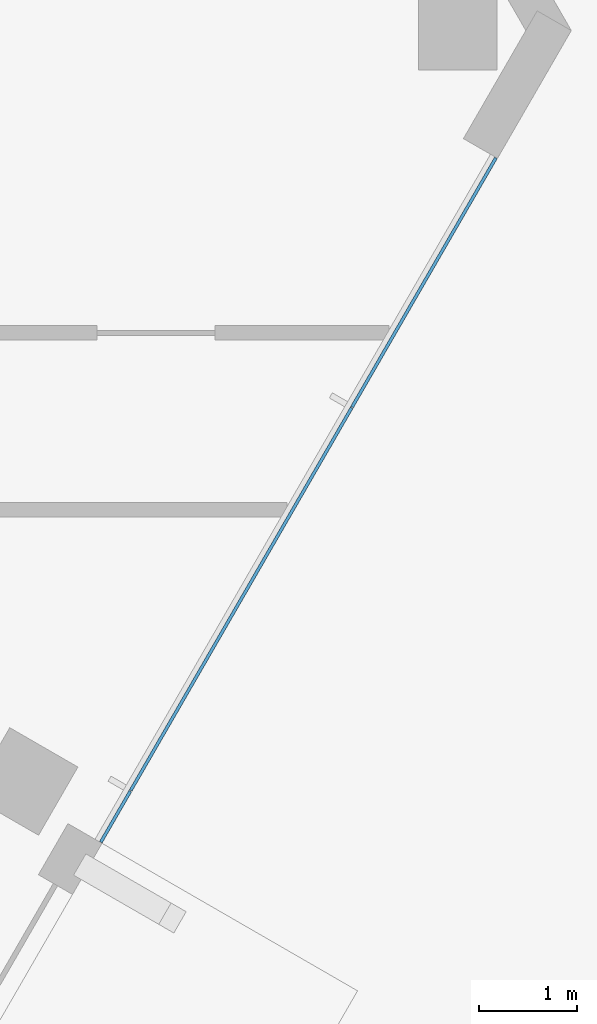
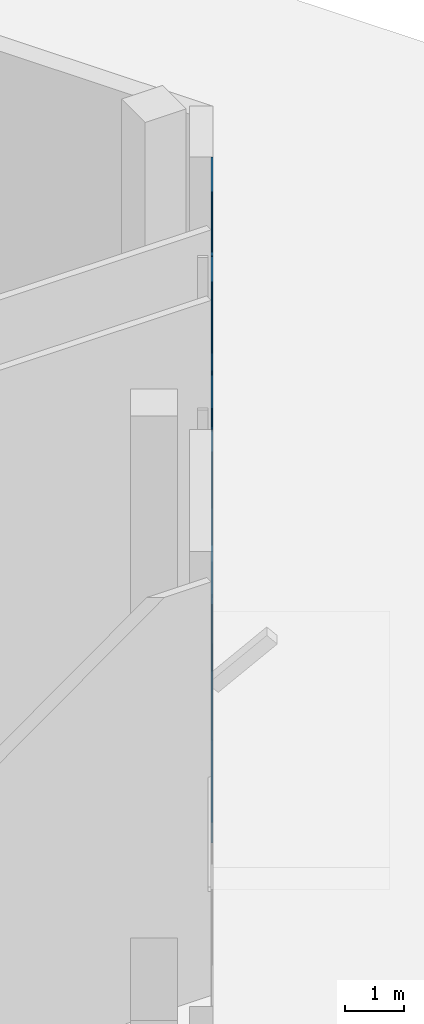
# One storey, part 11 of 21: 6 plates, 1 element without a shape of its own.
"""IFC4 building model written with IfcOpenShell, lengths in metres."""

from ifc_helpers import new_model, si_unit, direction, frame, origin, origin_2d, place, context, subcontext, project, spatial, rectangle, extrude, material, layer, layer_set, type_object, element, aggregate, save


model = new_model("IFC4")

# Units and contexts
model_context = context("Model", 3, precision=1e-05, world=origin(), true_north=direction((0.0, 1.0)))
body_context = subcontext(model_context, "Body", "Model", "MODEL_VIEW")
ifc_project = project(units=[si_unit("LENGTHUNIT", "METRE"), si_unit("AREAUNIT", "SQUARE_METRE"), si_unit("VOLUMEUNIT", "CUBIC_METRE"), si_unit("PLANEANGLEUNIT", "RADIAN"), si_unit("MASSUNIT", "GRAM", prefix="KILO")], contexts=[model_context])

# Site, building, storey
site_placement = place(None, origin())
site = spatial("IfcSite", under=ifc_project, at=site_placement, CompositionType="ELEMENT")
building_placement = place(site_placement, origin())
building = spatial("IfcBuilding", under=site, at=building_placement, Name="Altiplano Prism Tower", CompositionType="ELEMENT")
storey_placement = place(building_placement, origin())
storey = spatial("IfcBuildingStorey", under=building, at=storey_placement, Name="L00", CompositionType="ELEMENT", Elevation=0.0)

# Curtain wall, plates
ifc_material_1 = material(Name="Aluminium and glass", Category="aluminium")
ifc_layer_1 = layer(ifc_material_1, 0.261962890625)
ifc_layer_set_1 = layer_set([ifc_layer_1], Name="Aluminium and glass")
curtain_wall_type = type_object("IfcCurtainWallType", Name="CW4 concourse and street shopfront", PredefinedType="NOTDEFINED", material=ifc_layer_set_1)
curtain_wall_placement = place(storey_placement, origin())
curtain_wall = element("IfcCurtainWall", 1, at=curtain_wall_placement, inside=storey, type_object=curtain_wall_type, Name="CW4 shopfront south-east face L00", PredefinedType="NOTDEFINED")
ifc_material_2 = material(Name="Clear glass", Category="glass")
ifc_layer_2 = layer(ifc_material_2, 0.031982421875)
ifc_layer_set_2 = layer_set([ifc_layer_2], Name="Clear glass")
plate_type = type_object("IfcPlateType", Name="CW4 laminated glass panel 32", PredefinedType="CURTAIN_PANEL", material=ifc_layer_set_2)
plate_1_placement = place(storey_placement, frame((117.302001953125, 87.480712890625, 0.0), z_axis=(0.0, 0.0, 1.0), x_axis=(0.499999996478, 0.866025405818, 0.0)))
plate_1 = element("IfcPlate", 2, at=plate_1_placement, type_object=plate_type, Name="CW4 panel", PredefinedType="CURTAIN_PANEL", context=body_context, shape_type="SweptSolid", body=[
    extrude(rectangle(XDim=0.59716796875, YDim=0.031982421875, at=origin_2d()), origin(), (0.0, 0.0, 1.0), 4.5),
])
plate_2_placement = place(storey_placement, frame((117.302001953125, 87.480712890625, 4.5), z_axis=(0.0, 0.0, 1.0), x_axis=(0.499999996478, 0.866025405818, 0.0)))
plate_2 = element("IfcPlate", 3, at=plate_2_placement, type_object=plate_type, Name="CW4 panel", PredefinedType="CURTAIN_PANEL", context=body_context, shape_type="SweptSolid", body=[
    extrude(rectangle(XDim=0.59716796875, YDim=0.031982421875, at=origin_2d()), origin(), (0.0, 0.0, 1.0), 4.050048828125),
])
plate_3_placement = place(storey_placement, frame((118.578857421875, 89.692138671875, 0.0), z_axis=(0.0, 0.0, 1.0), x_axis=(0.499999996478, 0.866025405818, 0.0)))
plate_3 = element("IfcPlate", 4, at=plate_3_placement, type_object=plate_type, Name="CW4 panel", PredefinedType="CURTAIN_PANEL", context=body_context, shape_type="SweptSolid", body=[
    extrude(rectangle(XDim=4.489990234375, YDim=0.031982421875, at=origin_2d()), origin(), (0.0, 0.0, 1.0), 4.5),
])
plate_4_placement = place(storey_placement, frame((118.578857421875, 89.692138671875, 4.5), z_axis=(0.0, 0.0, 1.0), x_axis=(0.499999996478, 0.866025405818, 0.0)))
plate_4 = element("IfcPlate", 5, at=plate_4_placement, type_object=plate_type, Name="CW4 panel", PredefinedType="CURTAIN_PANEL", context=body_context, shape_type="SweptSolid", body=[
    extrude(rectangle(XDim=4.489990234375, YDim=0.031982421875, at=origin_2d()), origin(), (0.0, 0.0, 1.0), 4.050048828125),
])
plate_5_placement = place(storey_placement, frame((120.4375, 92.91162109375, 0.0), z_axis=(0.0, 0.0, 1.0), x_axis=(0.499999996478, 0.866025405818, 0.0)))
plate_5 = element("IfcPlate", 6, at=plate_5_placement, type_object=plate_type, Name="CW4 panel", PredefinedType="CURTAIN_PANEL", context=body_context, shape_type="SweptSolid", body=[
    extrude(rectangle(XDim=2.92529296875, YDim=0.031982421875, at=origin_2d()), origin(), (0.0, 0.0, 1.0), 4.5),
])
plate_6_placement = place(storey_placement, frame((120.4375, 92.91162109375, 4.5), z_axis=(0.0, 0.0, 1.0), x_axis=(0.499999996478, 0.866025405818, 0.0)))
plate_6 = element("IfcPlate", 7, at=plate_6_placement, type_object=plate_type, Name="CW4 panel", PredefinedType="CURTAIN_PANEL", context=body_context, shape_type="SweptSolid", body=[
    extrude(rectangle(XDim=2.92529296875, YDim=0.031982421875, at=origin_2d()), origin(), (0.0, 0.0, 1.0), 4.050048828125),
])
aggregate(curtain_wall, [plate_1, plate_2, plate_3, plate_4, plate_5, plate_6])

save(model, "model.ifc")
